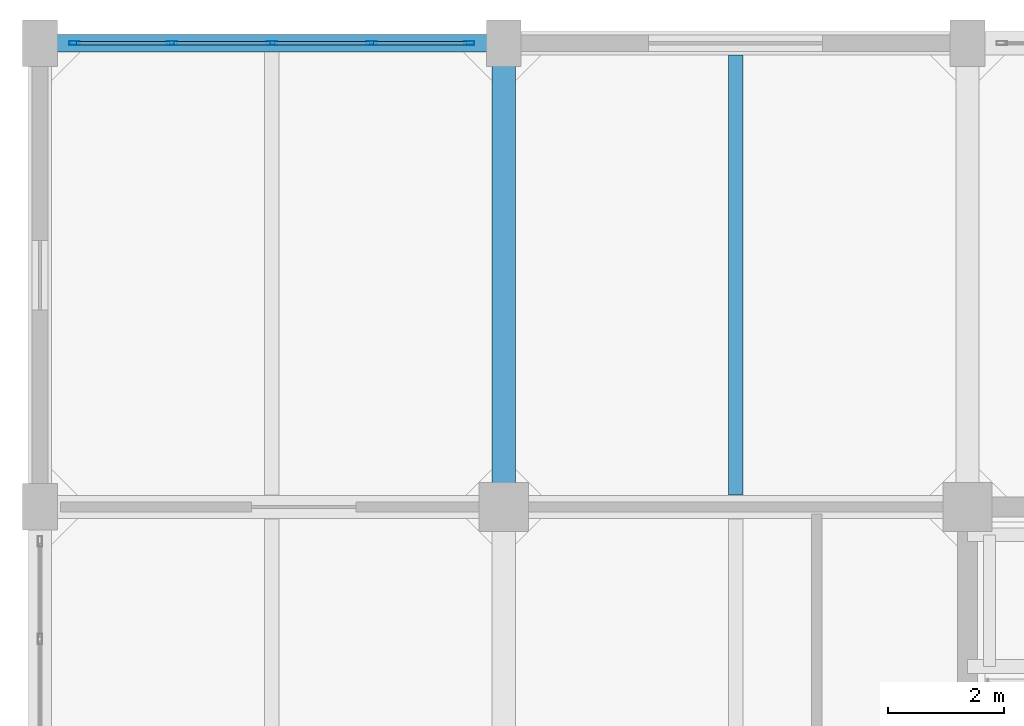
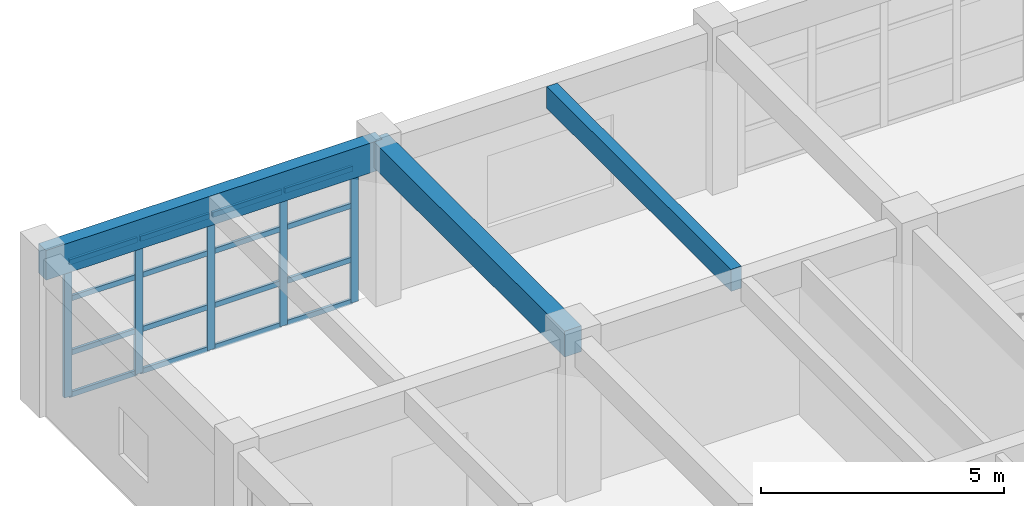
# One storey, part 15 of 30: 21 members, 3 beams, 1 element without a shape of its own.
"""IFC4 building model written with IfcOpenShell, lengths in metres."""

from ifc_helpers import new_model, si_unit, direction, frame, origin, origin_2d, place, context, subcontext, project, spatial, rectangle, hollow_rectangle, extrude, material, layer, layer_set, material_profile, profile_set, type_object, element, aggregate, save


model = new_model("IFC4")

# Units and contexts
model_context = context("Model", 3, precision=1e-05, world=origin(), true_north=direction((0.0, 1.0)))
body_context = subcontext(model_context, "Body", "Model", "MODEL_VIEW")
ifc_project = project(units=[si_unit("LENGTHUNIT", "METRE"), si_unit("AREAUNIT", "SQUARE_METRE"), si_unit("VOLUMEUNIT", "CUBIC_METRE"), si_unit("PLANEANGLEUNIT", "RADIAN"), si_unit("MASSUNIT", "GRAM", prefix="KILO")], contexts=[model_context])

# Site, building, storey
site_placement = place(None, origin())
site = spatial("IfcSite", under=ifc_project, at=site_placement, CompositionType="ELEMENT")
building_placement = place(site_placement, origin())
building = spatial("IfcBuilding", under=site, at=building_placement, Name="Canggui Botanical Conservatory", CompositionType="ELEMENT")
storey_placement = place(building_placement, frame((0.0, 0.0, 27.60009765625)))
storey = spatial("IfcBuildingStorey", under=building, at=storey_placement, Name="L07", CompositionType="ELEMENT", Elevation=27.60009765625)

# Beams
ifc_material_1 = material(Name="Concrete C35", Category="concrete")
ifc_material_profile_1 = material_profile(ifc_material_1, rectangle(XDim=0.25, YDim=0.550048828125, at=origin_2d()), Name="RB 250x550")
ifc_profile_set_1 = profile_set([ifc_material_profile_1], Name="Concrete C35")
beam_type_1 = type_object("IfcBeamType", Name="BM-JST03", PredefinedType="JOIST", material=ifc_profile_set_1)
beam_1_placement = place(storey_placement, frame((150.0, 66.205078125, 3.684814453125), z_axis=(0.0, 1.0, 0.0), x_axis=(-1.0, 0.0, 0.0)))
element("IfcBeam", 1, at=beam_1_placement, inside=storey, type_object=beam_type_1, Name="Secondary Floor Joist L07-2-5", PredefinedType="JOIST", context=body_context, shape_type="SweptSolid", body=[
    extrude(rectangle(XDim=0.25, YDim=0.550048828125, at=origin_2d()), origin(), (0.0, 0.0, 1.0), 7.58984375),
])
ifc_material_profile_2 = material_profile(ifc_material_1, rectangle(XDim=0.39990234375, YDim=0.64990234375, at=origin_2d()), Name="RB 400x650")
ifc_profile_set_2 = profile_set([ifc_material_profile_2], Name="Concrete C35")
beam_type_2 = type_object("IfcBeamType", Name="BM-KL12", PredefinedType="BEAM", material=ifc_profile_set_2)
beam_2_placement = place(storey_placement, frame((146.0, 66.0, 3.635009765625), z_axis=(0.0, 1.0, 0.0), x_axis=(-1.0, 0.0, 0.0)))
element("IfcBeam", 2, at=beam_2_placement, inside=storey, type_object=beam_type_2, Name="Frame Girder L07 X146-5", PredefinedType="BEAM", context=body_context, shape_type="SweptSolid", body=[
    extrude(rectangle(XDim=0.39990234375, YDim=0.64990234375, at=origin_2d()), origin(), (0.0, 0.0, 1.0), 8.0),
])
ifc_material_profile_3 = material_profile(ifc_material_1, rectangle(XDim=0.300048828125, YDim=0.75, at=origin_2d()), Name="RB 300x750")
ifc_profile_set_3 = profile_set([ifc_material_profile_3], Name="Concrete C35")
beam_type_3 = type_object("IfcBeamType", Name="BM-SPD01", PredefinedType="SPANDREL", material=ifc_profile_set_3)
beam_3_placement = place(storey_placement, frame((138.0, 74.0, 3.5849609375), z_axis=(1.0, 0.0, 0.0), x_axis=(0.0, 1.0, 0.0)))
element("IfcBeam", 3, at=beam_3_placement, inside=storey, type_object=beam_type_3, Name="Frame Girder L07 Y74-1", PredefinedType="SPANDREL", context=body_context, shape_type="SweptSolid", body=[
    extrude(rectangle(XDim=0.300048828125, YDim=0.75, at=origin_2d()), origin(), (0.0, 0.0, 1.0), 8.0),
])

# Curtain wall, members
ifc_material_2 = material(Name="Thermally Broken Aluminium", Category="aluminium")
ifc_layer = layer(ifc_material_2, 0.179931640625, Name="Thermally Broken Aluminium", Category="aluminium")
ifc_layer_set = layer_set([ifc_layer], Name="Thermally Broken Aluminium")
curtain_wall_type = type_object("IfcCurtainWallType", Name="CW-UNIT-A", PredefinedType="USERDEFINED", material=ifc_layer_set)
curtain_wall_placement = place(storey_placement, origin())
curtain_wall = element("IfcCurtainWall", 4, at=curtain_wall_placement, inside=storey, type_object=curtain_wall_type, Name="Facade Curtain Wall CW-TWR-L07-11", ObjectType="UNITISED CURTAIN WALL", PredefinedType="USERDEFINED")
ifc_material_profile_4 = material_profile(ifc_material_2, hollow_rectangle(XDim=0.070068359375, YDim=0.179931640625, WallThickness=0.00390625, at=origin_2d()), Name="CWM 70x180x4")
ifc_profile_set_4 = profile_set([ifc_material_profile_4], Name="Thermally Broken Aluminium")
member_type_1 = type_object("IfcMemberType", Name="CWM-01", PredefinedType="MULLION", material=ifc_profile_set_4)
member_1_placement = place(storey_placement, frame((138.594970703125, 74.0, 0.0), z_axis=(0.0, 0.0, 1.0), x_axis=(0.0, 1.0, 0.0)))
member_1 = element("IfcMember", 5, at=member_1_placement, type_object=member_type_1, Name="CW-01 mullion 1", PredefinedType="MULLION", context=body_context, shape_type="SweptSolid", body=[
    extrude(hollow_rectangle(XDim=0.070068359375, YDim=0.179931640625, WallThickness=0.00390625, at=origin_2d()), origin(), (0.0, 0.0, 1.0), 3.39990234375),
])
member_2_placement = place(storey_placement, frame((140.280029296875, 74.0, 0.0), z_axis=(0.0, 0.0, 1.0), x_axis=(0.0, 1.0, 0.0)))
member_2 = element("IfcMember", 6, at=member_2_placement, type_object=member_type_1, Name="CW-01 mullion 2", PredefinedType="MULLION", context=body_context, shape_type="SweptSolid", body=[
    extrude(hollow_rectangle(XDim=0.070068359375, YDim=0.179931640625, WallThickness=0.00390625, at=origin_2d()), origin(), (0.0, 0.0, 1.0), 3.39990234375),
])
member_3_placement = place(storey_placement, frame((142.0, 74.0, 0.0), z_axis=(0.0, 0.0, 1.0), x_axis=(0.0, 1.0, 0.0)))
member_3 = element("IfcMember", 7, at=member_3_placement, type_object=member_type_1, Name="CW-01 mullion 3", PredefinedType="MULLION", context=body_context, shape_type="SweptSolid", body=[
    extrude(hollow_rectangle(XDim=0.070068359375, YDim=0.179931640625, WallThickness=0.00390625, at=origin_2d()), origin(), (0.0, 0.0, 1.0), 3.39990234375),
])
member_4_placement = place(storey_placement, frame((143.719970703125, 74.0, 0.0), z_axis=(0.0, 0.0, 1.0), x_axis=(0.0, 1.0, 0.0)))
member_4 = element("IfcMember", 8, at=member_4_placement, type_object=member_type_1, Name="CW-01 mullion 4", PredefinedType="MULLION", context=body_context, shape_type="SweptSolid", body=[
    extrude(hollow_rectangle(XDim=0.070068359375, YDim=0.179931640625, WallThickness=0.00390625, at=origin_2d()), origin(), (0.0, 0.0, 1.0), 3.39990234375),
])
member_5_placement = place(storey_placement, frame((145.405029296875, 74.0, 0.0), z_axis=(0.0, 0.0, 1.0), x_axis=(0.0, 1.0, 0.0)))
member_5 = element("IfcMember", 9, at=member_5_placement, type_object=member_type_1, Name="CW-01 mullion 5", PredefinedType="MULLION", context=body_context, shape_type="SweptSolid", body=[
    extrude(hollow_rectangle(XDim=0.070068359375, YDim=0.179931640625, WallThickness=0.00390625, at=origin_2d()), origin(), (0.0, 0.0, 1.0), 3.39990234375),
])
ifc_material_profile_5 = material_profile(ifc_material_2, hollow_rectangle(XDim=0.06494140625, YDim=0.1298828125, WallThickness=0.00341796875, at=origin_2d()), Name="CWT 65x130x3.5")
ifc_profile_set_5 = profile_set([ifc_material_profile_5], Name="Thermally Broken Aluminium")
member_type_2 = type_object("IfcMemberType", Name="CWT-01", PredefinedType="USERDEFINED", material=ifc_profile_set_5)
member_6_placement = place(storey_placement, frame((138.6298828125, 74.0, 0.032470703125), z_axis=(1.0, 0.0, 0.0), x_axis=(0.0, 1.0, 0.0)))
member_6 = element("IfcMember", 10, at=member_6_placement, type_object=member_type_2, Name="CW-01 transom 1.1", ObjectType="TRANSOM", PredefinedType="USERDEFINED", context=body_context, shape_type="SweptSolid", body=[
    extrude(hollow_rectangle(XDim=0.06494140625, YDim=0.1298828125, WallThickness=0.00341796875, at=origin_2d()), origin(), (0.0, 0.0, 1.0), 1.615234375),
])
member_7_placement = place(storey_placement, frame((138.6298828125, 74.0, 1.087890625), z_axis=(1.0, 0.0, 0.0), x_axis=(0.0, 1.0, 0.0)))
member_7 = element("IfcMember", 11, at=member_7_placement, type_object=member_type_2, Name="CW-01 transom 1.2", ObjectType="TRANSOM", PredefinedType="USERDEFINED", context=body_context, shape_type="SweptSolid", body=[
    extrude(hollow_rectangle(XDim=0.06494140625, YDim=0.1298828125, WallThickness=0.00341796875, at=origin_2d()), origin(), (0.0, 0.0, 1.0), 1.615234375),
])
member_8_placement = place(storey_placement, frame((138.6298828125, 74.0, 2.447998046875), z_axis=(1.0, 0.0, 0.0), x_axis=(0.0, 1.0, 0.0)))
member_8 = element("IfcMember", 12, at=member_8_placement, type_object=member_type_2, Name="CW-01 transom 1.3", ObjectType="TRANSOM", PredefinedType="USERDEFINED", context=body_context, shape_type="SweptSolid", body=[
    extrude(hollow_rectangle(XDim=0.06494140625, YDim=0.1298828125, WallThickness=0.00341796875, at=origin_2d()), origin(), (0.0, 0.0, 1.0), 1.615234375),
])
member_9_placement = place(storey_placement, frame((138.6298828125, 74.0, 3.367431640625), z_axis=(1.0, 0.0, 0.0), x_axis=(0.0, 1.0, 0.0)))
member_9 = element("IfcMember", 13, at=member_9_placement, type_object=member_type_2, Name="CW-01 transom 1.4", ObjectType="TRANSOM", PredefinedType="USERDEFINED", context=body_context, shape_type="SweptSolid", body=[
    extrude(hollow_rectangle(XDim=0.06494140625, YDim=0.1298828125, WallThickness=0.00341796875, at=origin_2d()), origin(), (0.0, 0.0, 1.0), 1.615234375),
])
member_10_placement = place(storey_placement, frame((140.31494140625, 74.0, 0.032470703125), z_axis=(1.0, 0.0, 0.0), x_axis=(0.0, 1.0, 0.0)))
member_10 = element("IfcMember", 14, at=member_10_placement, type_object=member_type_2, Name="CW-01 transom 2.1", ObjectType="TRANSOM", PredefinedType="USERDEFINED", context=body_context, shape_type="SweptSolid", body=[
    extrude(hollow_rectangle(XDim=0.06494140625, YDim=0.1298828125, WallThickness=0.00341796875, at=origin_2d()), origin(), (0.0, 0.0, 1.0), 1.650146484375),
])
member_11_placement = place(storey_placement, frame((140.31494140625, 74.0, 1.087890625), z_axis=(1.0, 0.0, 0.0), x_axis=(0.0, 1.0, 0.0)))
member_11 = element("IfcMember", 15, at=member_11_placement, type_object=member_type_2, Name="CW-01 transom 2.2", ObjectType="TRANSOM", PredefinedType="USERDEFINED", context=body_context, shape_type="SweptSolid", body=[
    extrude(hollow_rectangle(XDim=0.06494140625, YDim=0.1298828125, WallThickness=0.00341796875, at=origin_2d()), origin(), (0.0, 0.0, 1.0), 1.650146484375),
])
member_12_placement = place(storey_placement, frame((140.31494140625, 74.0, 2.447998046875), z_axis=(1.0, 0.0, 0.0), x_axis=(0.0, 1.0, 0.0)))
member_12 = element("IfcMember", 16, at=member_12_placement, type_object=member_type_2, Name="CW-01 transom 2.3", ObjectType="TRANSOM", PredefinedType="USERDEFINED", context=body_context, shape_type="SweptSolid", body=[
    extrude(hollow_rectangle(XDim=0.06494140625, YDim=0.1298828125, WallThickness=0.00341796875, at=origin_2d()), origin(), (0.0, 0.0, 1.0), 1.650146484375),
])
member_13_placement = place(storey_placement, frame((140.31494140625, 74.0, 3.367431640625), z_axis=(1.0, 0.0, 0.0), x_axis=(0.0, 1.0, 0.0)))
member_13 = element("IfcMember", 17, at=member_13_placement, type_object=member_type_2, Name="CW-01 transom 2.4", ObjectType="TRANSOM", PredefinedType="USERDEFINED", context=body_context, shape_type="SweptSolid", body=[
    extrude(hollow_rectangle(XDim=0.06494140625, YDim=0.1298828125, WallThickness=0.00341796875, at=origin_2d()), origin(), (0.0, 0.0, 1.0), 1.650146484375),
])
member_14_placement = place(storey_placement, frame((142.034912109375, 74.0, 0.032470703125), z_axis=(1.0, 0.0, 0.0), x_axis=(0.0, 1.0, 0.0)))
member_14 = element("IfcMember", 18, at=member_14_placement, type_object=member_type_2, Name="CW-01 transom 3.1", ObjectType="TRANSOM", PredefinedType="USERDEFINED", context=body_context, shape_type="SweptSolid", body=[
    extrude(hollow_rectangle(XDim=0.06494140625, YDim=0.1298828125, WallThickness=0.00341796875, at=origin_2d()), origin(), (0.0, 0.0, 1.0), 1.650146484375),
])
member_15_placement = place(storey_placement, frame((142.034912109375, 74.0, 1.087890625), z_axis=(1.0, 0.0, 0.0), x_axis=(0.0, 1.0, 0.0)))
member_15 = element("IfcMember", 19, at=member_15_placement, type_object=member_type_2, Name="CW-01 transom 3.2", ObjectType="TRANSOM", PredefinedType="USERDEFINED", context=body_context, shape_type="SweptSolid", body=[
    extrude(hollow_rectangle(XDim=0.06494140625, YDim=0.1298828125, WallThickness=0.00341796875, at=origin_2d()), origin(), (0.0, 0.0, 1.0), 1.650146484375),
])
member_16_placement = place(storey_placement, frame((142.034912109375, 74.0, 2.447998046875), z_axis=(1.0, 0.0, 0.0), x_axis=(0.0, 1.0, 0.0)))
member_16 = element("IfcMember", 20, at=member_16_placement, type_object=member_type_2, Name="CW-01 transom 3.3", ObjectType="TRANSOM", PredefinedType="USERDEFINED", context=body_context, shape_type="SweptSolid", body=[
    extrude(hollow_rectangle(XDim=0.06494140625, YDim=0.1298828125, WallThickness=0.00341796875, at=origin_2d()), origin(), (0.0, 0.0, 1.0), 1.650146484375),
])
member_17_placement = place(storey_placement, frame((142.034912109375, 74.0, 3.367431640625), z_axis=(1.0, 0.0, 0.0), x_axis=(0.0, 1.0, 0.0)))
member_17 = element("IfcMember", 21, at=member_17_placement, type_object=member_type_2, Name="CW-01 transom 3.4", ObjectType="TRANSOM", PredefinedType="USERDEFINED", context=body_context, shape_type="SweptSolid", body=[
    extrude(hollow_rectangle(XDim=0.06494140625, YDim=0.1298828125, WallThickness=0.00341796875, at=origin_2d()), origin(), (0.0, 0.0, 1.0), 1.650146484375),
])
member_18_placement = place(storey_placement, frame((143.7548828125, 74.0, 0.032470703125), z_axis=(1.0, 0.0, 0.0), x_axis=(0.0, 1.0, 0.0)))
member_18 = element("IfcMember", 22, at=member_18_placement, type_object=member_type_2, Name="CW-01 transom 4.1", ObjectType="TRANSOM", PredefinedType="USERDEFINED", context=body_context, shape_type="SweptSolid", body=[
    extrude(hollow_rectangle(XDim=0.06494140625, YDim=0.1298828125, WallThickness=0.00341796875, at=origin_2d()), origin(), (0.0, 0.0, 1.0), 1.615234375),
])
member_19_placement = place(storey_placement, frame((143.7548828125, 74.0, 1.087890625), z_axis=(1.0, 0.0, 0.0), x_axis=(0.0, 1.0, 0.0)))
member_19 = element("IfcMember", 23, at=member_19_placement, type_object=member_type_2, Name="CW-01 transom 4.2", ObjectType="TRANSOM", PredefinedType="USERDEFINED", context=body_context, shape_type="SweptSolid", body=[
    extrude(hollow_rectangle(XDim=0.06494140625, YDim=0.1298828125, WallThickness=0.00341796875, at=origin_2d()), origin(), (0.0, 0.0, 1.0), 1.615234375),
])
member_20_placement = place(storey_placement, frame((143.7548828125, 74.0, 2.447998046875), z_axis=(1.0, 0.0, 0.0), x_axis=(0.0, 1.0, 0.0)))
member_20 = element("IfcMember", 24, at=member_20_placement, type_object=member_type_2, Name="CW-01 transom 4.3", ObjectType="TRANSOM", PredefinedType="USERDEFINED", context=body_context, shape_type="SweptSolid", body=[
    extrude(hollow_rectangle(XDim=0.06494140625, YDim=0.1298828125, WallThickness=0.00341796875, at=origin_2d()), origin(), (0.0, 0.0, 1.0), 1.615234375),
])
member_21_placement = place(storey_placement, frame((143.7548828125, 74.0, 3.367431640625), z_axis=(1.0, 0.0, 0.0), x_axis=(0.0, 1.0, 0.0)))
member_21 = element("IfcMember", 25, at=member_21_placement, type_object=member_type_2, Name="CW-01 transom 4.4", ObjectType="TRANSOM", PredefinedType="USERDEFINED", context=body_context, shape_type="SweptSolid", body=[
    extrude(hollow_rectangle(XDim=0.06494140625, YDim=0.1298828125, WallThickness=0.00341796875, at=origin_2d()), origin(), (0.0, 0.0, 1.0), 1.615234375),
])
aggregate(curtain_wall, [member_1, member_2, member_3, member_4, member_5, member_6, member_7, member_8, member_9, member_10, member_11, member_12, member_13, member_14, member_15, member_16, member_17, member_18, member_19, member_20, member_21])

save(model, "model.ifc")
